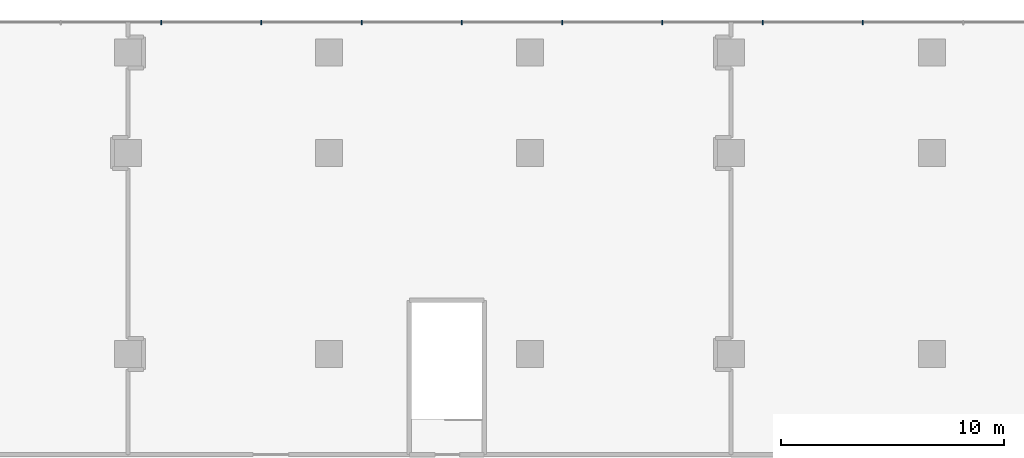
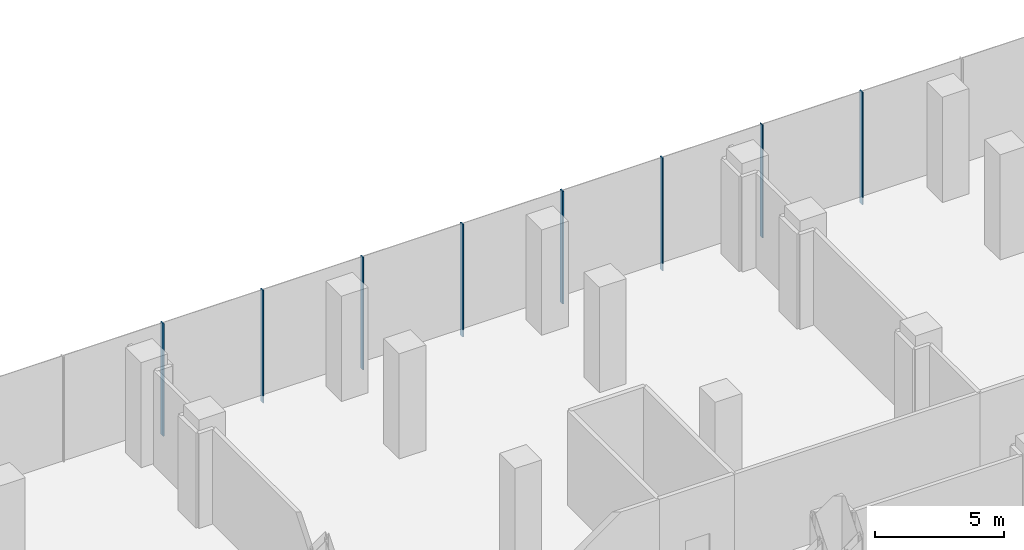
# One storey, part 19 of 36: 8 members, 1 element without a shape of its own.
"""IFC4 building model written with IfcOpenShell, lengths in metres."""

from ifc_helpers import new_model, si_unit, direction, frame, origin, origin_2d, place, context, subcontext, project, spatial, rectangle, extrude, material, layer, layer_set, material_profile, profile_set, type_object, element, aggregate, save


model = new_model("IFC4")

# Units and contexts
model_context = context("Model", 3, precision=1e-05, world=origin(), true_north=direction((0.0, 1.0)))
body_context = subcontext(model_context, "Body", "Model", "MODEL_VIEW")
ifc_project = project(units=[si_unit("LENGTHUNIT", "METRE"), si_unit("AREAUNIT", "SQUARE_METRE"), si_unit("VOLUMEUNIT", "CUBIC_METRE"), si_unit("PLANEANGLEUNIT", "RADIAN"), si_unit("MASSUNIT", "GRAM", prefix="KILO")], contexts=[model_context])

# Site, building, storey
site_placement = place(None, origin())
site = spatial("IfcSite", under=ifc_project, at=site_placement, CompositionType="ELEMENT")
building_placement = place(site_placement, origin())
building = spatial("IfcBuilding", under=site, at=building_placement, Name="Plateau Cross Towers", CompositionType="ELEMENT")
storey_placement = place(building_placement, frame((0.0, 0.0, 21.800048828125)))
storey = spatial("IfcBuildingStorey", under=building, at=storey_placement, Name="L04", CompositionType="ELEMENT", Elevation=21.800048828125)

# Curtain wall, members
ifc_material_1 = material(Name="Dark low-iron laminated glass", Category="glass")
ifc_layer = layer(ifc_material_1, 0.300048828125)
ifc_layer_set = layer_set([ifc_layer], Name="Dark low-iron laminated glass")
curtain_wall_type = type_object("IfcCurtainWallType", Name="Curtain wall structural silicone CW-C", PredefinedType="NOTDEFINED", material=ifc_layer_set)
curtain_wall_placement = place(storey_placement, origin())
curtain_wall = element("IfcCurtainWall", 1, at=curtain_wall_placement, inside=storey, type_object=curtain_wall_type, Name="ENV/P/L04/P1048_598", PredefinedType="NOTDEFINED")
ifc_material_2 = material(Name="Black anodised aluminium", Category="aluminium")
ifc_material_profile = material_profile(ifc_material_2, rectangle(XDim=0.050048828125, YDim=0.199951171875, at=origin_2d()), Name="MULLION 50x200")
ifc_profile_set = profile_set([ifc_material_profile], Name="Black anodised aluminium")
member_type = type_object("IfcMemberType", Name="Mullion 50x200 structural silicone", PredefinedType="MULLION", material=ifc_profile_set)
member_1_placement = place(storey_placement, frame((86.89990234375, 59.85009765625, -0.35009765625), z_axis=(0.0, 0.0, 1.0), x_axis=(-1.0, 0.0, 0.0)))
member_1 = element("IfcMember", 2, at=member_1_placement, type_object=member_type, Name="CW-C mullion 5", PredefinedType="MULLION", context=body_context, shape_type="SweptSolid", body=[
    extrude(rectangle(XDim=0.050048828125, YDim=0.199951171875, at=origin_2d()), origin(), (0.0, 0.0, 1.0), 5.35009765625),
])
member_2_placement = place(storey_placement, frame((82.41259765625, 59.85009765625, -0.35009765625), z_axis=(0.0, 0.0, 1.0), x_axis=(-1.0, 0.0, 0.0)))
member_2 = element("IfcMember", 3, at=member_2_placement, type_object=member_type, Name="CW-C mullion 6", PredefinedType="MULLION", context=body_context, shape_type="SweptSolid", body=[
    extrude(rectangle(XDim=0.050048828125, YDim=0.199951171875, at=origin_2d()), origin(), (0.0, 0.0, 1.0), 5.35009765625),
])
member_3_placement = place(storey_placement, frame((77.925048828125, 59.85009765625, -0.35009765625), z_axis=(0.0, 0.0, 1.0), x_axis=(-1.0, 0.0, 0.0)))
member_3 = element("IfcMember", 4, at=member_3_placement, type_object=member_type, Name="CW-C mullion 7", PredefinedType="MULLION", context=body_context, shape_type="SweptSolid", body=[
    extrude(rectangle(XDim=0.050048828125, YDim=0.199951171875, at=origin_2d()), origin(), (0.0, 0.0, 1.0), 5.35009765625),
])
member_4_placement = place(storey_placement, frame((73.4375, 59.85009765625, -0.35009765625), z_axis=(0.0, 0.0, 1.0), x_axis=(-1.0, 0.0, 0.0)))
member_4 = element("IfcMember", 5, at=member_4_placement, type_object=member_type, Name="CW-C mullion 8", PredefinedType="MULLION", context=body_context, shape_type="SweptSolid", body=[
    extrude(rectangle(XDim=0.050048828125, YDim=0.199951171875, at=origin_2d()), origin(), (0.0, 0.0, 1.0), 5.35009765625),
])
member_5_placement = place(storey_placement, frame((68.949951171875, 59.85009765625, -0.35009765625), z_axis=(0.0, 0.0, 1.0), x_axis=(-1.0, 0.0, 0.0)))
member_5 = element("IfcMember", 6, at=member_5_placement, type_object=member_type, Name="CW-C mullion 9", PredefinedType="MULLION", context=body_context, shape_type="SweptSolid", body=[
    extrude(rectangle(XDim=0.050048828125, YDim=0.199951171875, at=origin_2d()), origin(), (0.0, 0.0, 1.0), 5.35009765625),
])
member_6_placement = place(storey_placement, frame((64.46240234375, 59.85009765625, -0.35009765625), z_axis=(0.0, 0.0, 1.0), x_axis=(-1.0, 0.0, 0.0)))
member_6 = element("IfcMember", 7, at=member_6_placement, type_object=member_type, Name="CW-C mullion 10", PredefinedType="MULLION", context=body_context, shape_type="SweptSolid", body=[
    extrude(rectangle(XDim=0.050048828125, YDim=0.199951171875, at=origin_2d()), origin(), (0.0, 0.0, 1.0), 5.35009765625),
])
member_7_placement = place(storey_placement, frame((59.97509765625, 59.85009765625, -0.35009765625), z_axis=(0.0, 0.0, 1.0), x_axis=(-1.0, 0.0, 0.0)))
member_7 = element("IfcMember", 8, at=member_7_placement, type_object=member_type, Name="CW-C mullion 11", PredefinedType="MULLION", context=body_context, shape_type="SweptSolid", body=[
    extrude(rectangle(XDim=0.050048828125, YDim=0.199951171875, at=origin_2d()), origin(), (0.0, 0.0, 1.0), 5.35009765625),
])
member_8_placement = place(storey_placement, frame((55.487548828125, 59.85009765625, -0.35009765625), z_axis=(0.0, 0.0, 1.0), x_axis=(-1.0, 0.0, 0.0)))
member_8 = element("IfcMember", 9, at=member_8_placement, type_object=member_type, Name="CW-C mullion 12", PredefinedType="MULLION", context=body_context, shape_type="SweptSolid", body=[
    extrude(rectangle(XDim=0.050048828125, YDim=0.199951171875, at=origin_2d()), origin(), (0.0, 0.0, 1.0), 5.35009765625),
])
aggregate(curtain_wall, [member_1, member_2, member_3, member_4, member_5, member_6, member_7, member_8])

save(model, "model.ifc")
